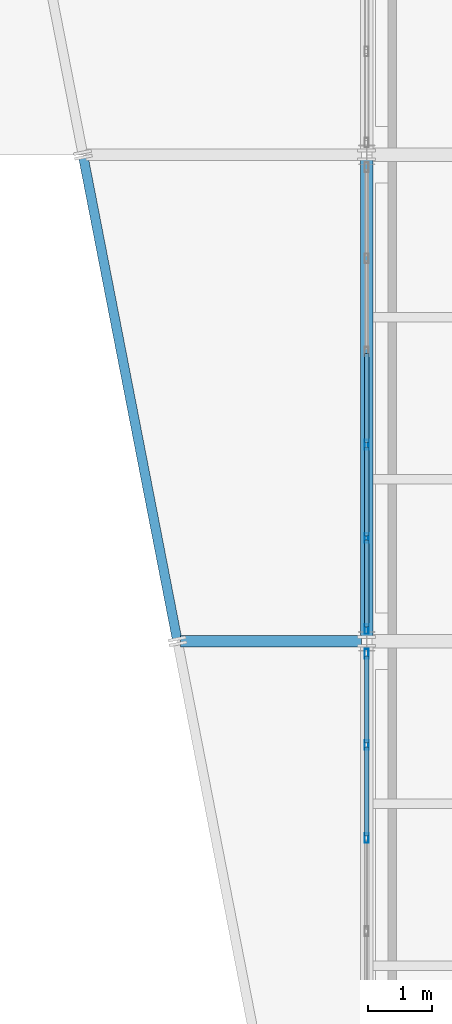
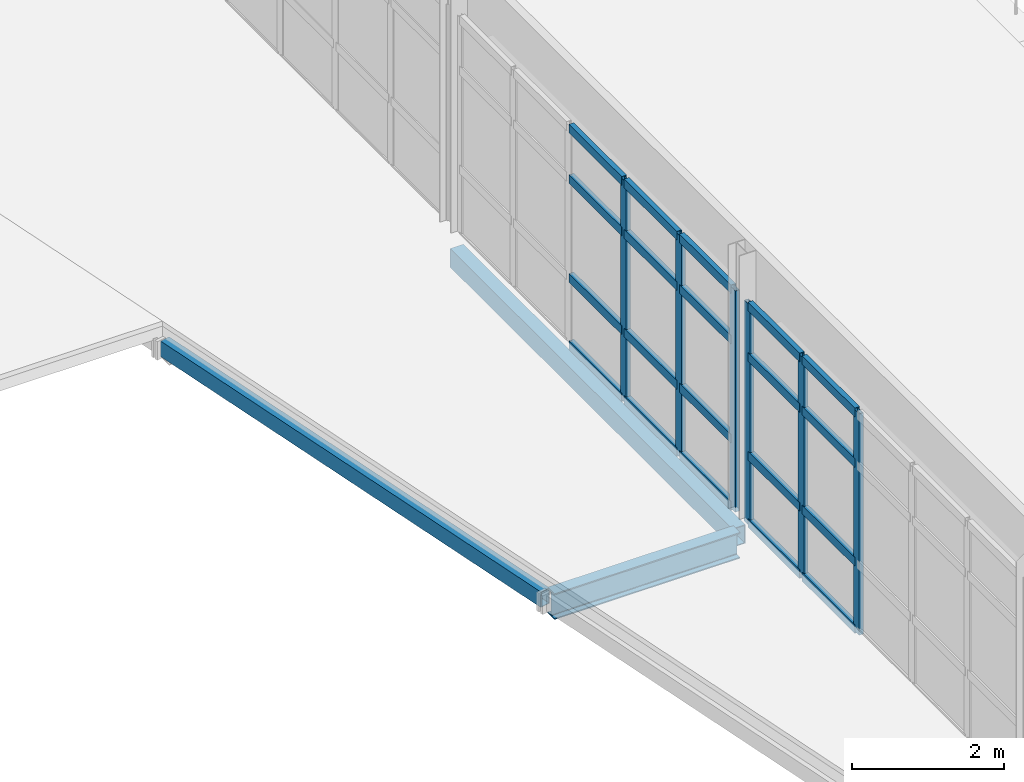
# One storey, part 40 of 96: 26 members, 3 beams, 2 elements without a shape of their own.
"""IFC4 building model written with IfcOpenShell, lengths in metres."""

from ifc_helpers import new_model, si_unit, direction, frame, origin, origin_2d, place, context, subcontext, project, spatial, hollow_rectangle, i_section, extrude, material, material_profile, profile_set, type_object, element, aggregate, save


model = new_model("IFC4")

# Units and contexts
model_context = context("Model", 3, precision=1e-05, world=origin(), true_north=direction((0.0, 1.0)))
body_context = subcontext(model_context, "Body", "Model", "MODEL_VIEW")
ifc_project = project(units=[si_unit("LENGTHUNIT", "METRE"), si_unit("AREAUNIT", "SQUARE_METRE"), si_unit("VOLUMEUNIT", "CUBIC_METRE"), si_unit("PLANEANGLEUNIT", "RADIAN"), si_unit("MASSUNIT", "GRAM", prefix="KILO")], contexts=[model_context])

# Site, building, storey
site_placement = place(None, origin())
site = spatial("IfcSite", under=ifc_project, at=site_placement, CompositionType="ELEMENT")
building_placement = place(site_placement, origin())
building = spatial("IfcBuilding", under=site, at=building_placement, Name="Caisbarro Railhouse Central Library", CompositionType="ELEMENT")
storey_placement = place(building_placement, frame((0.0, 0.0, 13.679931640625)))
storey = spatial("IfcBuildingStorey", under=building, at=storey_placement, Name="L03", CompositionType="ELEMENT", Elevation=13.679931640625)

# Beams
ifc_material_1 = material(Name="Steel ASTM A572 Grade 50", Category="steel")
ifc_material_profile_1 = material_profile(ifc_material_1, i_section(OverallWidth=0.180908203125, OverallDepth=0.4169921875, WebThickness=0.010986328125, FlangeThickness=0.018310546875, FilletRadius=0.01611328125, at=origin_2d()), Name="W410X85.0")
ifc_profile_set_1 = profile_set([ifc_material_profile_1], Name="Steel ASTM A572 Grade 50")
beam_type_1 = type_object("IfcBeamType", Name="BM-G09", PredefinedType="BEAM", material=ifc_profile_set_1)
beam_1_placement = place(storey_placement, frame((114.094970703125, 76.0, -0.388427734375), z_axis=(1.0, 0.0, 0.0), x_axis=(0.0, 1.0, 0.0)))
element("IfcBeam", 1, at=beam_1_placement, inside=storey, type_object=beam_type_1, Name="G09 beam L03 #2430", PredefinedType="BEAM", context=body_context, shape_type="SweptSolid", body=[
    extrude(i_section(OverallWidth=0.180908203125, OverallDepth=0.4169921875, WebThickness=0.010986328125, FlangeThickness=0.018310546875, FilletRadius=0.01611328125, at=origin_2d()), origin(), (0.0, 0.0, 1.0), 2.824951171875),
])
ifc_material_profile_2 = material_profile(ifc_material_1, hollow_rectangle(XDim=0.199951171875, YDim=0.300048828125, WallThickness=0.012451171875, at=origin_2d()), Name="HSS300X200X12.5")
ifc_profile_set_2 = profile_set([ifc_material_profile_2], Name="Steel ASTM A572 Grade 50")
beam_type_2 = type_object("IfcBeamType", Name="BM-SP02", PredefinedType="SPANDREL", material=ifc_profile_set_2)
beam_2_placement = place(storey_placement, frame((117.0, 76.080078125, -0.369873046875), z_axis=(0.0, 1.0, 0.0), x_axis=(-1.0, 0.0, 0.0)))
element("IfcBeam", 2, at=beam_2_placement, inside=storey, type_object=beam_type_2, Name="SP02 beam L03 #1882", PredefinedType="SPANDREL", context=body_context, shape_type="SweptSolid", body=[
    extrude(hollow_rectangle(XDim=0.199951171875, YDim=0.300048828125, WallThickness=0.012451171875, at=origin_2d()), origin(), (0.0, 0.0, 1.0), 7.43994140625),
])
ifc_material_profile_3 = material_profile(ifc_material_1, hollow_rectangle(XDim=0.14990234375, YDim=0.25, WallThickness=0.010009765625, at=origin_2d()), Name="HSS250X150X10")
ifc_profile_set_3 = profile_set([ifc_material_profile_3], Name="Steel ASTM A572 Grade 50")
beam_type_3 = type_object("IfcBeamType", Name="BM-SP03", PredefinedType="SPANDREL", material=ifc_profile_set_3)
beam_3_placement = place(storey_placement, frame((114.035400390625, 76.049072265625, -0.304931640625), z_axis=(-0.190786715317, 0.98163151399, 0.0), x_axis=(-0.98163151399, -0.190786715317, 0.0)))
element("IfcBeam", 3, at=beam_3_placement, inside=storey, type_object=beam_type_3, Name="SP03 beam L03 #2426", PredefinedType="SPANDREL", context=body_context, shape_type="SweptSolid", body=[
    extrude(hollow_rectangle(XDim=0.14990234375, YDim=0.25, WallThickness=0.010009765625, at=origin_2d()), origin(), (0.0, 0.0, 1.0), 7.64208984375),
])

# Curtain wall, members
ifc_material_2 = material(Name="Anodised architectural aluminium", Category="aluminium")
curtain_wall_type = type_object("IfcCurtainWallType", Name="CW-CW02", PredefinedType="NOTDEFINED", material=ifc_material_2)
curtain_wall_1_placement = place(storey_placement, origin())
curtain_wall_1 = element("IfcCurtainWall", 4, at=curtain_wall_1_placement, inside=storey, type_object=curtain_wall_type, Name="CW02 curtain wall L03 #142", PredefinedType="NOTDEFINED")
ifc_material_profile_4 = material_profile(ifc_material_2, hollow_rectangle(XDim=0.06494140625, YDim=0.14990234375, WallThickness=0.00390625, at=origin_2d()), Name="ALU-MUL-65X150")
ifc_profile_set_4 = profile_set([ifc_material_profile_4], Name="Anodised architectural aluminium")
member_type_1 = type_object("IfcMemberType", Name="CWM-M02", PredefinedType="MULLION", material=ifc_profile_set_4)
member_1_placement = place(storey_placement, frame((117.0, 72.927978515625, 0.0), z_axis=(0.0, 0.0, 1.0), x_axis=(-1.0, 0.0, 0.0)))
member_1 = element("IfcMember", 5, at=member_1_placement, type_object=member_type_1, Name="CW02 mullion 4", PredefinedType="MULLION", context=body_context, shape_type="SweptSolid", body=[
    extrude(hollow_rectangle(XDim=0.06494140625, YDim=0.14990234375, WallThickness=0.00390625, at=origin_2d()), origin(), (0.0, 0.0, 1.0), 3.56005859375),
])
member_2_placement = place(storey_placement, frame((117.0, 74.384033203125, 0.0), z_axis=(0.0, 0.0, 1.0), x_axis=(-1.0, 0.0, 0.0)))
member_2 = element("IfcMember", 6, at=member_2_placement, type_object=member_type_1, Name="CW02 mullion 5", PredefinedType="MULLION", context=body_context, shape_type="SweptSolid", body=[
    extrude(hollow_rectangle(XDim=0.06494140625, YDim=0.14990234375, WallThickness=0.00390625, at=origin_2d()), origin(), (0.0, 0.0, 1.0), 3.56005859375),
])
member_3_placement = place(storey_placement, frame((117.0, 75.8076171875, 0.0), z_axis=(0.0, 0.0, 1.0), x_axis=(-1.0, 0.0, 0.0)))
member_3 = element("IfcMember", 7, at=member_3_placement, type_object=member_type_1, Name="CW02 mullion 6", PredefinedType="MULLION", context=body_context, shape_type="SweptSolid", body=[
    extrude(hollow_rectangle(XDim=0.06494140625, YDim=0.14990234375, WallThickness=0.00390625, at=origin_2d()), origin(), (0.0, 0.0, 1.0), 3.56005859375),
])

curtain_wall_2_placement = place(storey_placement, origin())
curtain_wall_2 = element("IfcCurtainWall", 8, at=curtain_wall_2_placement, inside=storey, type_object=curtain_wall_type, Name="CW02 curtain wall L03 #143", PredefinedType="NOTDEFINED")
member_4_placement = place(storey_placement, frame((117.0, 76.1923828125, 0.0), z_axis=(0.0, 0.0, 1.0), x_axis=(-1.0, 0.0, 0.0)))
member_4 = element("IfcMember", 9, at=member_4_placement, type_object=member_type_1, Name="CW02 mullion 1", PredefinedType="MULLION", context=body_context, shape_type="SweptSolid", body=[
    extrude(hollow_rectangle(XDim=0.06494140625, YDim=0.14990234375, WallThickness=0.00390625, at=origin_2d()), origin(), (0.0, 0.0, 1.0), 3.56005859375),
])
member_5_placement = place(storey_placement, frame((117.0, 77.615966796875, 0.0), z_axis=(0.0, 0.0, 1.0), x_axis=(-1.0, 0.0, 0.0)))
member_5 = element("IfcMember", 10, at=member_5_placement, type_object=member_type_1, Name="CW02 mullion 2", PredefinedType="MULLION", context=body_context, shape_type="SweptSolid", body=[
    extrude(hollow_rectangle(XDim=0.06494140625, YDim=0.14990234375, WallThickness=0.00390625, at=origin_2d()), origin(), (0.0, 0.0, 1.0), 3.56005859375),
])
member_6_placement = place(storey_placement, frame((117.0, 79.072021484375, 0.0), z_axis=(0.0, 0.0, 1.0), x_axis=(-1.0, 0.0, 0.0)))
member_6 = element("IfcMember", 11, at=member_6_placement, type_object=member_type_1, Name="CW02 mullion 3", PredefinedType="MULLION", context=body_context, shape_type="SweptSolid", body=[
    extrude(hollow_rectangle(XDim=0.06494140625, YDim=0.14990234375, WallThickness=0.00390625, at=origin_2d()), origin(), (0.0, 0.0, 1.0), 3.56005859375),
])

# Member
ifc_material_profile_5 = material_profile(ifc_material_2, hollow_rectangle(XDim=0.074951171875, YDim=0.139892578125, WallThickness=0.00390625, at=origin_2d()), Name="ALU-TRN-75X140")
ifc_profile_set_5 = profile_set([ifc_material_profile_5], Name="Anodised architectural aluminium")
member_type_2 = type_object("IfcMemberType", Name="CWT-T01", PredefinedType="USERDEFINED", material=ifc_profile_set_5)
member_7_placement = place(storey_placement, frame((117.0, 72.96044921875, 0.03759765625), z_axis=(0.0, 1.0, 0.0), x_axis=(-1.0, 0.0, 0.0)))
member_7 = element("IfcMember", 12, at=member_7_placement, type_object=member_type_2, Name="CW02 transom 4.1", ObjectType="TRANSOM", PredefinedType="USERDEFINED", context=body_context, shape_type="SweptSolid", body=[
    extrude(hollow_rectangle(XDim=0.074951171875, YDim=0.139892578125, WallThickness=0.00390625, at=origin_2d()), origin(), (0.0, 0.0, 1.0), 1.39111328125),
])

member_8_placement = place(storey_placement, frame((117.0, 72.96044921875, 1.1201171875), z_axis=(0.0, 1.0, 0.0), x_axis=(-1.0, 0.0, 0.0)))
member_8 = element("IfcMember", 13, at=member_8_placement, type_object=member_type_2, Name="CW02 transom 4.2", ObjectType="TRANSOM", PredefinedType="USERDEFINED", context=body_context, shape_type="SweptSolid", body=[
    extrude(hollow_rectangle(XDim=0.074951171875, YDim=0.139892578125, WallThickness=0.00390625, at=origin_2d()), origin(), (0.0, 0.0, 1.0), 1.39111328125),
])

member_9_placement = place(storey_placement, frame((117.0, 72.96044921875, 2.7099609375), z_axis=(0.0, 1.0, 0.0), x_axis=(-1.0, 0.0, 0.0)))
member_9 = element("IfcMember", 14, at=member_9_placement, type_object=member_type_2, Name="CW02 transom 4.3", ObjectType="TRANSOM", PredefinedType="USERDEFINED", context=body_context, shape_type="SweptSolid", body=[
    extrude(hollow_rectangle(XDim=0.074951171875, YDim=0.139892578125, WallThickness=0.00390625, at=origin_2d()), origin(), (0.0, 0.0, 1.0), 1.39111328125),
])

member_10_placement = place(storey_placement, frame((117.0, 72.96044921875, 3.5224609375), z_axis=(0.0, 1.0, 0.0), x_axis=(-1.0, 0.0, 0.0)))
member_10 = element("IfcMember", 15, at=member_10_placement, type_object=member_type_2, Name="CW02 transom 4.4", ObjectType="TRANSOM", PredefinedType="USERDEFINED", context=body_context, shape_type="SweptSolid", body=[
    extrude(hollow_rectangle(XDim=0.074951171875, YDim=0.139892578125, WallThickness=0.00390625, at=origin_2d()), origin(), (0.0, 0.0, 1.0), 1.39111328125),
])

member_11_placement = place(storey_placement, frame((117.0, 74.41650390625, 0.03759765625), z_axis=(0.0, 1.0, 0.0), x_axis=(-1.0, 0.0, 0.0)))
member_11 = element("IfcMember", 16, at=member_11_placement, type_object=member_type_2, Name="CW02 transom 5.1", ObjectType="TRANSOM", PredefinedType="USERDEFINED", context=body_context, shape_type="SweptSolid", body=[
    extrude(hollow_rectangle(XDim=0.074951171875, YDim=0.139892578125, WallThickness=0.00390625, at=origin_2d()), origin(), (0.0, 0.0, 1.0), 1.3583984375),
])

member_12_placement = place(storey_placement, frame((117.0, 74.41650390625, 1.1201171875), z_axis=(0.0, 1.0, 0.0), x_axis=(-1.0, 0.0, 0.0)))
member_12 = element("IfcMember", 17, at=member_12_placement, type_object=member_type_2, Name="CW02 transom 5.2", ObjectType="TRANSOM", PredefinedType="USERDEFINED", context=body_context, shape_type="SweptSolid", body=[
    extrude(hollow_rectangle(XDim=0.074951171875, YDim=0.139892578125, WallThickness=0.00390625, at=origin_2d()), origin(), (0.0, 0.0, 1.0), 1.3583984375),
])

member_13_placement = place(storey_placement, frame((117.0, 74.41650390625, 2.7099609375), z_axis=(0.0, 1.0, 0.0), x_axis=(-1.0, 0.0, 0.0)))
member_13 = element("IfcMember", 18, at=member_13_placement, type_object=member_type_2, Name="CW02 transom 5.3", ObjectType="TRANSOM", PredefinedType="USERDEFINED", context=body_context, shape_type="SweptSolid", body=[
    extrude(hollow_rectangle(XDim=0.074951171875, YDim=0.139892578125, WallThickness=0.00390625, at=origin_2d()), origin(), (0.0, 0.0, 1.0), 1.3583984375),
])

member_14_placement = place(storey_placement, frame((117.0, 74.41650390625, 3.5224609375), z_axis=(0.0, 1.0, 0.0), x_axis=(-1.0, 0.0, 0.0)))
member_14 = element("IfcMember", 19, at=member_14_placement, type_object=member_type_2, Name="CW02 transom 5.4", ObjectType="TRANSOM", PredefinedType="USERDEFINED", context=body_context, shape_type="SweptSolid", body=[
    extrude(hollow_rectangle(XDim=0.074951171875, YDim=0.139892578125, WallThickness=0.00390625, at=origin_2d()), origin(), (0.0, 0.0, 1.0), 1.3583984375),
])

aggregate(curtain_wall_1, [member_1, member_2, member_3, member_7, member_8, member_9, member_10, member_11, member_12, member_13, member_14])

member_15_placement = place(storey_placement, frame((117.0, 76.22509765625, 0.03759765625), z_axis=(0.0, 1.0, 0.0), x_axis=(-1.0, 0.0, 0.0)))
member_15 = element("IfcMember", 20, at=member_15_placement, type_object=member_type_2, Name="CW02 transom 1.1", ObjectType="TRANSOM", PredefinedType="USERDEFINED", context=body_context, shape_type="SweptSolid", body=[
    extrude(hollow_rectangle(XDim=0.074951171875, YDim=0.139892578125, WallThickness=0.00390625, at=origin_2d()), origin(), (0.0, 0.0, 1.0), 1.3583984375),
])

member_16_placement = place(storey_placement, frame((117.0, 76.22509765625, 1.1201171875), z_axis=(0.0, 1.0, 0.0), x_axis=(-1.0, 0.0, 0.0)))
member_16 = element("IfcMember", 21, at=member_16_placement, type_object=member_type_2, Name="CW02 transom 1.2", ObjectType="TRANSOM", PredefinedType="USERDEFINED", context=body_context, shape_type="SweptSolid", body=[
    extrude(hollow_rectangle(XDim=0.074951171875, YDim=0.139892578125, WallThickness=0.00390625, at=origin_2d()), origin(), (0.0, 0.0, 1.0), 1.3583984375),
])

member_17_placement = place(storey_placement, frame((117.0, 76.22509765625, 2.7099609375), z_axis=(0.0, 1.0, 0.0), x_axis=(-1.0, 0.0, 0.0)))
member_17 = element("IfcMember", 22, at=member_17_placement, type_object=member_type_2, Name="CW02 transom 1.3", ObjectType="TRANSOM", PredefinedType="USERDEFINED", context=body_context, shape_type="SweptSolid", body=[
    extrude(hollow_rectangle(XDim=0.074951171875, YDim=0.139892578125, WallThickness=0.00390625, at=origin_2d()), origin(), (0.0, 0.0, 1.0), 1.3583984375),
])

member_18_placement = place(storey_placement, frame((117.0, 76.22509765625, 3.5224609375), z_axis=(0.0, 1.0, 0.0), x_axis=(-1.0, 0.0, 0.0)))
member_18 = element("IfcMember", 23, at=member_18_placement, type_object=member_type_2, Name="CW02 transom 1.4", ObjectType="TRANSOM", PredefinedType="USERDEFINED", context=body_context, shape_type="SweptSolid", body=[
    extrude(hollow_rectangle(XDim=0.074951171875, YDim=0.139892578125, WallThickness=0.00390625, at=origin_2d()), origin(), (0.0, 0.0, 1.0), 1.3583984375),
])

member_19_placement = place(storey_placement, frame((117.0, 77.6484375, 0.03759765625), z_axis=(0.0, 1.0, 0.0), x_axis=(-1.0, 0.0, 0.0)))
member_19 = element("IfcMember", 24, at=member_19_placement, type_object=member_type_2, Name="CW02 transom 2.1", ObjectType="TRANSOM", PredefinedType="USERDEFINED", context=body_context, shape_type="SweptSolid", body=[
    extrude(hollow_rectangle(XDim=0.074951171875, YDim=0.139892578125, WallThickness=0.00390625, at=origin_2d()), origin(), (0.0, 0.0, 1.0), 1.39111328125),
])

member_20_placement = place(storey_placement, frame((117.0, 77.6484375, 1.1201171875), z_axis=(0.0, 1.0, 0.0), x_axis=(-1.0, 0.0, 0.0)))
member_20 = element("IfcMember", 25, at=member_20_placement, type_object=member_type_2, Name="CW02 transom 2.2", ObjectType="TRANSOM", PredefinedType="USERDEFINED", context=body_context, shape_type="SweptSolid", body=[
    extrude(hollow_rectangle(XDim=0.074951171875, YDim=0.139892578125, WallThickness=0.00390625, at=origin_2d()), origin(), (0.0, 0.0, 1.0), 1.39111328125),
])

member_21_placement = place(storey_placement, frame((117.0, 77.6484375, 2.7099609375), z_axis=(0.0, 1.0, 0.0), x_axis=(-1.0, 0.0, 0.0)))
member_21 = element("IfcMember", 26, at=member_21_placement, type_object=member_type_2, Name="CW02 transom 2.3", ObjectType="TRANSOM", PredefinedType="USERDEFINED", context=body_context, shape_type="SweptSolid", body=[
    extrude(hollow_rectangle(XDim=0.074951171875, YDim=0.139892578125, WallThickness=0.00390625, at=origin_2d()), origin(), (0.0, 0.0, 1.0), 1.39111328125),
])

member_22_placement = place(storey_placement, frame((117.0, 77.6484375, 3.5224609375), z_axis=(0.0, 1.0, 0.0), x_axis=(-1.0, 0.0, 0.0)))
member_22 = element("IfcMember", 27, at=member_22_placement, type_object=member_type_2, Name="CW02 transom 2.4", ObjectType="TRANSOM", PredefinedType="USERDEFINED", context=body_context, shape_type="SweptSolid", body=[
    extrude(hollow_rectangle(XDim=0.074951171875, YDim=0.139892578125, WallThickness=0.00390625, at=origin_2d()), origin(), (0.0, 0.0, 1.0), 1.39111328125),
])

member_23_placement = place(storey_placement, frame((117.0, 79.1044921875, 0.03759765625), z_axis=(0.0, 1.0, 0.0), x_axis=(-1.0, 0.0, 0.0)))
member_23 = element("IfcMember", 28, at=member_23_placement, type_object=member_type_2, Name="CW02 transom 3.1", ObjectType="TRANSOM", PredefinedType="USERDEFINED", context=body_context, shape_type="SweptSolid", body=[
    extrude(hollow_rectangle(XDim=0.074951171875, YDim=0.139892578125, WallThickness=0.00390625, at=origin_2d()), origin(), (0.0, 0.0, 1.0), 1.39111328125),
])

member_24_placement = place(storey_placement, frame((117.0, 79.1044921875, 1.1201171875), z_axis=(0.0, 1.0, 0.0), x_axis=(-1.0, 0.0, 0.0)))
member_24 = element("IfcMember", 29, at=member_24_placement, type_object=member_type_2, Name="CW02 transom 3.2", ObjectType="TRANSOM", PredefinedType="USERDEFINED", context=body_context, shape_type="SweptSolid", body=[
    extrude(hollow_rectangle(XDim=0.074951171875, YDim=0.139892578125, WallThickness=0.00390625, at=origin_2d()), origin(), (0.0, 0.0, 1.0), 1.39111328125),
])

member_25_placement = place(storey_placement, frame((117.0, 79.1044921875, 2.7099609375), z_axis=(0.0, 1.0, 0.0), x_axis=(-1.0, 0.0, 0.0)))
member_25 = element("IfcMember", 30, at=member_25_placement, type_object=member_type_2, Name="CW02 transom 3.3", ObjectType="TRANSOM", PredefinedType="USERDEFINED", context=body_context, shape_type="SweptSolid", body=[
    extrude(hollow_rectangle(XDim=0.074951171875, YDim=0.139892578125, WallThickness=0.00390625, at=origin_2d()), origin(), (0.0, 0.0, 1.0), 1.39111328125),
])

member_26_placement = place(storey_placement, frame((117.0, 79.1044921875, 3.5224609375), z_axis=(0.0, 1.0, 0.0), x_axis=(-1.0, 0.0, 0.0)))
member_26 = element("IfcMember", 31, at=member_26_placement, type_object=member_type_2, Name="CW02 transom 3.4", ObjectType="TRANSOM", PredefinedType="USERDEFINED", context=body_context, shape_type="SweptSolid", body=[
    extrude(hollow_rectangle(XDim=0.074951171875, YDim=0.139892578125, WallThickness=0.00390625, at=origin_2d()), origin(), (0.0, 0.0, 1.0), 1.39111328125),
])

aggregate(curtain_wall_2, [member_4, member_5, member_6, member_15, member_16, member_17, member_18, member_19, member_20, member_21, member_22, member_23, member_24, member_25, member_26])

save(model, "model.ifc")
